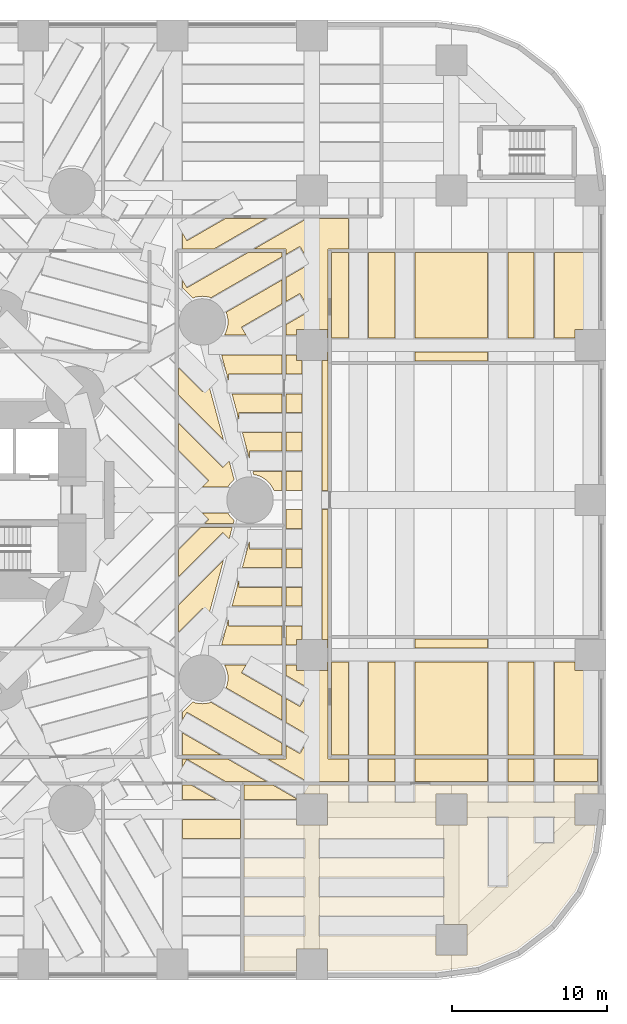
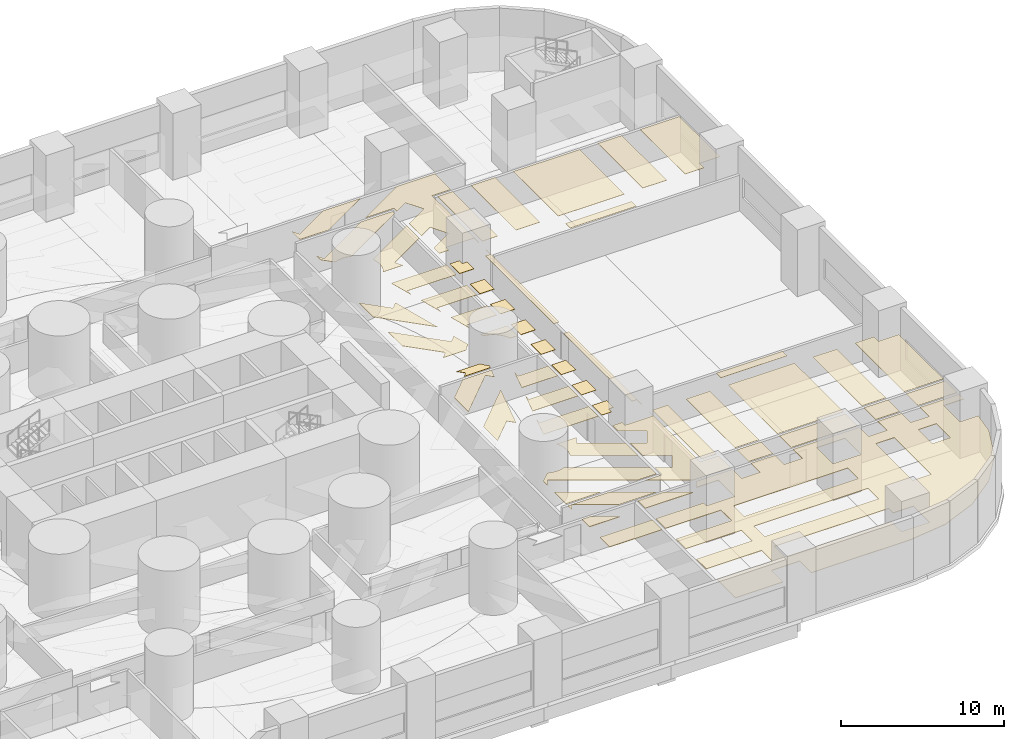
# One storey, part 16 of 17: 51 coverings.
"""IFC4 building model written with IfcOpenShell, lengths in metres."""

from ifc_helpers import new_model, si_unit, direction, frame, origin, place, context, subcontext, project, spatial, polyline, outline, extrude, material, layer, layer_set, type_object, element, save


model = new_model("IFC4")

# Units and contexts
model_context = context("Model", 3, precision=1e-05, world=origin(), true_north=direction((0.0, 1.0)))
body_context = subcontext(model_context, "Body", "Model", "MODEL_VIEW")
ifc_project = project(units=[si_unit("LENGTHUNIT", "METRE"), si_unit("AREAUNIT", "SQUARE_METRE"), si_unit("VOLUMEUNIT", "CUBIC_METRE"), si_unit("PLANEANGLEUNIT", "RADIAN"), si_unit("MASSUNIT", "GRAM", prefix="KILO")], contexts=[model_context])

# Site, building, storey
site_placement = place(None, origin())
site = spatial("IfcSite", under=ifc_project, at=site_placement, CompositionType="ELEMENT")
building_placement = place(site_placement, origin())
building = spatial("IfcBuilding", under=site, at=building_placement, Name="Qaws Media Tower", CompositionType="ELEMENT")
storey_placement = place(building_placement, frame((0.0, 0.0, 15.0)))
storey = spatial("IfcBuildingStorey", under=building, at=storey_placement, Name="L02", CompositionType="ELEMENT", Elevation=15.0)

# Coverings
ifc_material_1 = material(Name="40 perforated acoustic panels with mineral wool backing, suspended", Category="mineral fibre")
ifc_layer_1 = layer(ifc_material_1, 0.0400390625)
ifc_layer_set_1 = layer_set([ifc_layer_1], Name="Acoustic panel ceiling 40")
covering_type_1 = type_object("IfcCoveringType", Name="Acoustic panel ceiling 40", PredefinedType="CEILING", material=ifc_layer_set_1)
covering_1_placement = place(storey_placement, frame((0.0, 0.0, 2.719970703125)))
element("IfcCovering", 1, at=covering_1_placement, inside=storey, type_object=covering_type_1, Name="CL3 ceiling L02-03 Edit suite 1", PredefinedType="CEILING", context=body_context, shape_type="SweptSolid", body=[
    extrude(outline(polyline([(82.3798828125, 28.14990234375), (78.64990234375, 28.14990234375), (78.64990234375, 29.35009765625), (82.3798828125, 29.35009765625), (82.3798828125, 28.14990234375)])), origin(), (0.0, 0.0, 1.0), 0.0400390625),
])
covering_2_placement = place(storey_placement, frame((0.0, 0.0, 2.719970703125)))
element("IfcCovering", 2, at=covering_2_placement, inside=storey, type_object=covering_type_1, Name="CL3 ceiling L02-03 Edit suite 1", PredefinedType="CEILING", context=body_context, shape_type="SweptSolid", body=[
    extrude(outline(polyline([(79.2275390625, 31.580078125), (80.83837890625, 30.64990234375), (78.64990234375, 30.64990234375), (78.64990234375, 31.580078125), (79.2275390625, 31.580078125)])), origin(), (0.0, 0.0, 1.0), 0.0400390625),
])
covering_3_placement = place(storey_placement, frame((0.0, 0.0, 2.719970703125)))
element("IfcCovering", 3, at=covering_3_placement, inside=storey, type_object=covering_type_1, Name="CL3 ceiling L02-04 Edit suite 2", PredefinedType="CEILING", context=body_context, shape_type="SweptSolid", body=[
    extrude(outline(polyline([(104.0, 31.0), (104.0, 29.0), (105.2958984375, 29.0), (105.072509765625, 27.301025390625), (104.030517578125, 24.7861328125), (102.37353515625, 22.62646484375), (100.2138671875, 20.969482421875), (97.698974609375, 19.927490234375), (94.982421875, 19.570068359375), (88.0, 19.570068359375), (88.0, 21.0), (86.0, 21.0), (86.0, 19.570068359375), (82.6201171875, 19.570068359375), (82.6201171875, 21.85009765625), (86.550048828125, 21.85009765625), (86.550048828125, 23.14990234375), (82.6201171875, 23.14990234375), (82.6201171875, 24.35009765625), (86.550048828125, 24.35009765625), (86.550048828125, 25.64990234375), (82.6201171875, 25.64990234375), (82.6201171875, 26.85009765625), (86.550048828125, 26.85009765625), (86.550048828125, 28.14990234375), (82.6201171875, 28.14990234375), (82.6201171875, 29.35009765625), (86.0, 29.35009765625), (86.0, 29.0), (88.0, 29.0), (88.0, 31.0), (86.468017578125, 31.0), (86.802734375, 31.580078125), (89.35009765625, 31.580078125), (89.35009765625, 30.449951171875), (90.64990234375, 30.449951171875), (90.64990234375, 31.580078125), (92.35009765625, 31.580078125), (92.35009765625, 30.449951171875), (93.64990234375, 30.449951171875), (93.64990234375, 31.580078125), (98.35009765625, 31.580078125), (98.35009765625, 30.449951171875), (99.64990234375, 30.449951171875), (99.64990234375, 31.580078125), (101.35009765625, 31.580078125), (101.35009765625, 30.449951171875), (102.64990234375, 30.449951171875), (102.64990234375, 31.580078125), (105.429931640625, 31.580078125), (105.429931640625, 31.0), (104.0, 31.0)]), holes=[polyline([(97.0, 20.60009765625), (97.0, 22.60009765625), (95.550048828125, 22.60009765625), (95.550048828125, 23.14990234375), (87.449951171875, 23.14990234375), (87.449951171875, 21.85009765625), (95.0, 21.85009765625), (95.0, 20.60009765625), (97.0, 20.60009765625)]), polyline([(97.0, 29.0), (97.0, 31.0), (95.0, 31.0), (95.0, 29.0), (97.0, 29.0)]), polyline([(87.449951171875, 24.35009765625), (95.550048828125, 24.35009765625), (95.550048828125, 25.64990234375), (87.449951171875, 25.64990234375), (87.449951171875, 24.35009765625)]), polyline([(98.35009765625, 25.015380859375), (99.64990234375, 25.015380859375), (99.64990234375, 29.550048828125), (98.35009765625, 29.550048828125), (98.35009765625, 25.015380859375)]), polyline([(87.449951171875, 28.14990234375), (87.449951171875, 26.85009765625), (95.550048828125, 26.85009765625), (95.550048828125, 28.14990234375), (87.449951171875, 28.14990234375)]), polyline([(101.35009765625, 27.8154296875), (102.64990234375, 27.8154296875), (102.64990234375, 29.550048828125), (101.35009765625, 29.550048828125), (101.35009765625, 27.8154296875)])]), origin(), (0.0, 0.0, 1.0), 0.0400390625),
])
covering_4_placement = place(storey_placement, frame((0.0, 0.0, 2.719970703125)))
element("IfcCovering", 4, at=covering_4_placement, inside=storey, type_object=covering_type_1, Name="CL3 ceiling L02-04 Edit suite 2", PredefinedType="CEILING", context=body_context, shape_type="SweptSolid", body=[
    extrude(outline(polyline([(82.6201171875, 31.580078125), (84.49169921875, 31.580078125), (86.0, 30.708984375), (86.0, 30.64990234375), (82.6201171875, 30.64990234375), (82.6201171875, 31.580078125)])), origin(), (0.0, 0.0, 1.0), 0.0400390625),
])
ifc_material_2 = material(Name="600 x 600 mineral fibre tiles in exposed grid, suspended", Category="mineral fibre")
ifc_layer_2 = layer(ifc_material_2, 0.02001953125)
ifc_layer_set_2 = layer_set([ifc_layer_2], Name="Mineral fibre tile ceiling 20")
covering_type_2 = type_object("IfcCoveringType", Name="Mineral fibre tile ceiling 20", PredefinedType="CEILING", material=ifc_layer_set_2)
covering_5_placement = place(storey_placement, frame((0.0, 0.0, 2.719970703125)))
element("IfcCovering", 5, at=covering_5_placement, inside=storey, type_object=covering_type_2, Name="CL1 ceiling L02-00 Production foyer", PredefinedType="CEILING", context=body_context, shape_type="SweptSolid", body=[
    extrude(outline(polyline([(89.35009765625, 68.179931640625), (89.35009765625, 66.219970703125), (88.030029296875, 66.219970703125), (88.030029296875, 60.449951171875), (88.0, 60.449951171875), (88.0, 61.0), (86.0, 61.0), (86.0, 60.64990234375), (85.320068359375, 60.64990234375), (85.320068359375, 61.318603515625), (86.875, 62.216552734375), (86.22509765625, 63.34228515625), (85.320068359375, 62.81982421875), (85.320068359375, 64.35791015625), (86.875, 65.255615234375), (86.22509765625, 66.381591796875), (85.320068359375, 65.859130859375), (85.320068359375, 66.219970703125), (83.281005859375, 66.219970703125), (86.67578125, 68.179931640625), (89.35009765625, 68.179931640625)])), origin(), (0.0, 0.0, 1.0), 0.02001953125),
])
covering_6_placement = place(storey_placement, frame((0.0, 0.0, 2.719970703125)))
element("IfcCovering", 6, at=covering_6_placement, inside=storey, type_object=covering_type_2, Name="CL1 ceiling L02-00 Production foyer", PredefinedType="CEILING", context=body_context, shape_type="SweptSolid", body=[
    extrude(outline(polyline([(88.030029296875, 33.280029296875), (89.35009765625, 33.280029296875), (89.35009765625, 31.820068359375), (86.67578125, 31.820068359375), (84.147216796875, 33.280029296875), (85.320068359375, 33.280029296875), (85.320068359375, 34.140869140625), (86.22509765625, 33.618408203125), (86.875, 34.744384765625), (85.320068359375, 35.64208984375), (85.320068359375, 37.18017578125), (86.22509765625, 36.65771484375), (86.875, 37.783447265625), (85.320068359375, 38.681396484375), (85.320068359375, 39.35009765625), (86.0, 39.35009765625), (86.0, 39.0), (88.0, 39.0), (88.0, 39.550048828125), (88.030029296875, 39.550048828125), (88.030029296875, 33.280029296875)])), origin(), (0.0, 0.0, 1.0), 0.02001953125),
])
covering_7_placement = place(storey_placement, frame((0.0, 0.0, 2.719970703125)))
element("IfcCovering", 7, at=covering_7_placement, inside=storey, type_object=covering_type_2, Name="CL1 ceiling L02-00 Production foyer", PredefinedType="CEILING", context=body_context, shape_type="SweptSolid", body=[
    extrude(outline(polyline([(98.35009765625, 33.280029296875), (98.35009765625, 31.820068359375), (93.64990234375, 31.820068359375), (93.64990234375, 33.280029296875), (98.35009765625, 33.280029296875)])), origin(), (0.0, 0.0, 1.0), 0.02001953125),
])
covering_8_placement = place(storey_placement, frame((0.0, 0.0, 2.719970703125)))
element("IfcCovering", 8, at=covering_8_placement, inside=storey, type_object=covering_type_2, Name="CL1 ceiling L02-00 Production foyer", PredefinedType="CEILING", context=body_context, shape_type="SweptSolid", body=[
    extrude(outline(polyline([(84.075927734375, 68.179931640625), (80.68115234375, 66.219970703125), (78.64990234375, 66.219970703125), (78.64990234375, 67.220703125), (78.925048828125, 66.744384765625), (81.411865234375, 68.179931640625), (84.075927734375, 68.179931640625)])), origin(), (0.0, 0.0, 1.0), 0.02001953125),
])
covering_9_placement = place(storey_placement, frame((0.0, 0.0, 2.719970703125)))
element("IfcCovering", 9, at=covering_9_placement, inside=storey, type_object=covering_type_2, Name="CL1 ceiling L02-00 Production foyer", PredefinedType="CEILING", context=body_context, shape_type="SweptSolid", body=[
    extrude(outline(polyline([(105.429931640625, 33.280029296875), (105.429931640625, 31.820068359375), (102.64990234375, 31.820068359375), (102.64990234375, 33.280029296875), (105.429931640625, 33.280029296875)])), origin(), (0.0, 0.0, 1.0), 0.02001953125),
])
covering_10_placement = place(storey_placement, frame((0.0, 0.0, 2.719970703125)))
element("IfcCovering", 10, at=covering_10_placement, inside=storey, type_object=covering_type_2, Name="CL1 ceiling L02-00 Production foyer", PredefinedType="CEILING", context=body_context, shape_type="SweptSolid", body=[
    extrude(outline(polyline([(81.411865234375, 31.820068359375), (78.925048828125, 33.255615234375), (78.64990234375, 32.779296875), (78.64990234375, 33.280029296875), (81.547119140625, 33.280029296875), (84.075927734375, 31.820068359375), (81.411865234375, 31.820068359375)])), origin(), (0.0, 0.0, 1.0), 0.02001953125),
])
covering_11_placement = place(storey_placement, frame((0.0, 0.0, 2.719970703125)))
element("IfcCovering", 11, at=covering_11_placement, inside=storey, type_object=covering_type_2, Name="CL1 ceiling L02-00 Production foyer", PredefinedType="CEILING", context=body_context, shape_type="SweptSolid", body=[
    extrude(outline(polyline([(88.030029296875, 50.60009765625), (87.64990234375, 50.60009765625), (87.64990234375, 59.0), (88.0, 59.0), (88.0, 59.550048828125), (88.030029296875, 59.550048828125), (88.030029296875, 50.60009765625)])), origin(), (0.0, 0.0, 1.0), 0.02001953125),
])
covering_12_placement = place(storey_placement, frame((0.0, 0.0, 2.719970703125)))
element("IfcCovering", 12, at=covering_12_placement, inside=storey, type_object=covering_type_2, Name="CL1 ceiling L02-00 Production foyer", PredefinedType="CEILING", context=body_context, shape_type="SweptSolid", body=[
    extrude(outline(polyline([(88.030029296875, 40.449951171875), (88.0, 40.449951171875), (88.0, 41.0), (87.64990234375, 41.0), (87.64990234375, 49.39990234375), (88.030029296875, 49.39990234375), (88.030029296875, 40.449951171875)])), origin(), (0.0, 0.0, 1.0), 0.02001953125),
])
covering_13_placement = place(storey_placement, frame((0.0, 0.0, 2.719970703125)))
element("IfcCovering", 13, at=covering_13_placement, inside=storey, type_object=covering_type_2, Name="CL1 ceiling L02-00 Production foyer", PredefinedType="CEILING", context=body_context, shape_type="SweptSolid", body=[
    extrude(outline(polyline([(92.35009765625, 33.280029296875), (92.35009765625, 31.820068359375), (90.64990234375, 31.820068359375), (90.64990234375, 33.280029296875), (92.35009765625, 33.280029296875)])), origin(), (0.0, 0.0, 1.0), 0.02001953125),
])
covering_14_placement = place(storey_placement, frame((0.0, 0.0, 2.719970703125)))
element("IfcCovering", 14, at=covering_14_placement, inside=storey, type_object=covering_type_2, Name="CL1 ceiling L02-00 Production foyer", PredefinedType="CEILING", context=body_context, shape_type="SweptSolid", body=[
    extrude(outline(polyline([(101.35009765625, 33.280029296875), (101.35009765625, 31.820068359375), (99.64990234375, 31.820068359375), (99.64990234375, 33.280029296875), (101.35009765625, 33.280029296875)])), origin(), (0.0, 0.0, 1.0), 0.02001953125),
])
covering_15_placement = place(storey_placement, frame((0.0, 0.0, 2.719970703125)))
element("IfcCovering", 15, at=covering_15_placement, inside=storey, type_object=covering_type_2, Name="CL1 ceiling L02-00 Production foyer", PredefinedType="CEILING", context=body_context, shape_type="SweptSolid", body=[
    extrude(outline(polyline([(85.320068359375, 49.39990234375), (86.35009765625, 49.39990234375), (86.35009765625, 48.14990234375), (85.320068359375, 48.14990234375), (85.320068359375, 49.39990234375)])), origin(), (0.0, 0.0, 1.0), 0.02001953125),
])
covering_16_placement = place(storey_placement, frame((0.0, 0.0, 2.719970703125)))
element("IfcCovering", 16, at=covering_16_placement, inside=storey, type_object=covering_type_2, Name="CL1 ceiling L02-00 Production foyer", PredefinedType="CEILING", context=body_context, shape_type="SweptSolid", body=[
    extrude(outline(polyline([(85.320068359375, 51.85009765625), (86.35009765625, 51.85009765625), (86.35009765625, 50.60009765625), (85.320068359375, 50.60009765625), (85.320068359375, 51.85009765625)])), origin(), (0.0, 0.0, 1.0), 0.02001953125),
])
covering_17_placement = place(storey_placement, frame((0.0, 0.0, 2.719970703125)))
element("IfcCovering", 17, at=covering_17_placement, inside=storey, type_object=covering_type_2, Name="CL1 ceiling L02-00 Production foyer", PredefinedType="CEILING", context=body_context, shape_type="SweptSolid", body=[
    extrude(outline(polyline([(85.320068359375, 44.35009765625), (86.35009765625, 44.35009765625), (86.35009765625, 43.14990234375), (85.320068359375, 43.14990234375), (85.320068359375, 44.35009765625)])), origin(), (0.0, 0.0, 1.0), 0.02001953125),
])
covering_18_placement = place(storey_placement, frame((0.0, 0.0, 2.719970703125)))
element("IfcCovering", 18, at=covering_18_placement, inside=storey, type_object=covering_type_2, Name="CL1 ceiling L02-00 Production foyer", PredefinedType="CEILING", context=body_context, shape_type="SweptSolid", body=[
    extrude(outline(polyline([(85.320068359375, 46.85009765625), (86.35009765625, 46.85009765625), (86.35009765625, 45.64990234375), (85.320068359375, 45.64990234375), (85.320068359375, 46.85009765625)])), origin(), (0.0, 0.0, 1.0), 0.02001953125),
])
covering_19_placement = place(storey_placement, frame((0.0, 0.0, 2.719970703125)))
element("IfcCovering", 19, at=covering_19_placement, inside=storey, type_object=covering_type_2, Name="CL1 ceiling L02-00 Production foyer", PredefinedType="CEILING", context=body_context, shape_type="SweptSolid", body=[
    extrude(outline(polyline([(85.320068359375, 54.35009765625), (86.35009765625, 54.35009765625), (86.35009765625, 53.14990234375), (85.320068359375, 53.14990234375), (85.320068359375, 54.35009765625)])), origin(), (0.0, 0.0, 1.0), 0.02001953125),
])
covering_20_placement = place(storey_placement, frame((0.0, 0.0, 2.719970703125)))
element("IfcCovering", 20, at=covering_20_placement, inside=storey, type_object=covering_type_2, Name="CL1 ceiling L02-00 Production foyer", PredefinedType="CEILING", context=body_context, shape_type="SweptSolid", body=[
    extrude(outline(polyline([(85.320068359375, 56.85009765625), (86.35009765625, 56.85009765625), (86.35009765625, 55.64990234375), (85.320068359375, 55.64990234375), (85.320068359375, 56.85009765625)])), origin(), (0.0, 0.0, 1.0), 0.02001953125),
])
covering_21_placement = place(storey_placement, frame((0.0, 0.0, 2.719970703125)))
element("IfcCovering", 21, at=covering_21_placement, inside=storey, type_object=covering_type_2, Name="CL1 ceiling L02-00 Production foyer", PredefinedType="CEILING", context=body_context, shape_type="SweptSolid", body=[
    extrude(outline(polyline([(85.320068359375, 41.85009765625), (86.35009765625, 41.85009765625), (86.35009765625, 41.0), (86.0, 41.0), (86.0, 40.64990234375), (85.320068359375, 40.64990234375), (85.320068359375, 41.85009765625)])), origin(), (0.0, 0.0, 1.0), 0.02001953125),
])
covering_22_placement = place(storey_placement, frame((0.0, 0.0, 2.719970703125)))
element("IfcCovering", 22, at=covering_22_placement, inside=storey, type_object=covering_type_2, Name="CL1 ceiling L02-00 Production foyer", PredefinedType="CEILING", context=body_context, shape_type="SweptSolid", body=[
    extrude(outline(polyline([(85.320068359375, 59.35009765625), (86.0, 59.35009765625), (86.0, 59.0), (86.35009765625, 59.0), (86.35009765625, 58.14990234375), (85.320068359375, 58.14990234375), (85.320068359375, 59.35009765625)])), origin(), (0.0, 0.0, 1.0), 0.02001953125),
])
covering_23_placement = place(storey_placement, frame((0.0, 0.0, 2.719970703125)))
element("IfcCovering", 23, at=covering_23_placement, inside=storey, type_object=covering_type_2, Name="CL1 ceiling L02-07 Graphics room", PredefinedType="CEILING", context=body_context, shape_type="SweptSolid", body=[
    extrude(outline(polyline([(85.080078125, 33.52001953125), (83.7314453125, 33.52001953125), (78.925048828125, 36.294921875), (78.64990234375, 35.818603515625), (78.64990234375, 36.312255859375), (79.298828125, 36.961181640625), (79.489013671875, 36.896484375), (79.701904296875, 36.854248046875), (79.918701171875, 36.840087890625), (80.13525390625, 36.854248046875), (80.34814453125, 36.896484375), (80.473388671875, 36.939208984375), (85.080078125, 34.279541015625), (85.080078125, 33.52001953125)])), origin(), (0.0, 0.0, 1.0), 0.02001953125),
])
covering_24_placement = place(storey_placement, frame((0.0, 0.0, 2.719970703125)))
element("IfcCovering", 24, at=covering_24_placement, inside=storey, type_object=covering_type_2, Name="CL1 ceiling L02-07 Graphics room", PredefinedType="CEILING", context=body_context, shape_type="SweptSolid", body=[
    extrude(outline(polyline([(85.080078125, 35.780517578125), (81.455078125, 37.873291015625), (81.52197265625, 38.0703125), (81.564453125, 38.283203125), (81.57861328125, 38.5), (81.564453125, 38.716796875), (81.52197265625, 38.9296875), (81.4521484375, 39.13525390625), (81.356201171875, 39.330078125), (81.3427734375, 39.35009765625), (82.746337890625, 39.35009765625), (82.4501953125, 38.837158203125), (85.080078125, 37.318603515625), (85.080078125, 35.780517578125)])), origin(), (0.0, 0.0, 1.0), 0.02001953125),
])
covering_25_placement = place(storey_placement, frame((0.0, 0.0, 2.719970703125)))
element("IfcCovering", 25, at=covering_25_placement, inside=storey, type_object=covering_type_2, Name="CL1 ceiling L02-07 Graphics room", PredefinedType="CEILING", context=body_context, shape_type="SweptSolid", body=[
    extrude(outline(polyline([(78.389892578125, 43.219482421875), (81.286376953125, 46.115966796875), (80.341064453125, 42.587646484375), (79.922119140625, 43.006591796875), (78.389892578125, 41.474365234375), (78.389892578125, 43.219482421875)])), origin(), (0.0, 0.0, 1.0), 0.02001953125),
])
covering_26_placement = place(storey_placement, frame((0.0, 0.0, 2.719970703125)))
element("IfcCovering", 26, at=covering_26_placement, inside=storey, type_object=covering_type_2, Name="CL1 ceiling L02-07 Graphics room", PredefinedType="CEILING", context=body_context, shape_type="SweptSolid", body=[
    extrude(outline(polyline([(85.080078125, 40.64990234375), (81.16748046875, 40.64990234375), (81.611572265625, 42.306884765625), (81.611572265625, 41.85009765625), (85.080078125, 41.85009765625), (85.080078125, 40.64990234375)])), origin(), (0.0, 0.0, 1.0), 0.02001953125),
])
covering_27_placement = place(storey_placement, frame((0.0, 0.0, 2.719970703125)))
element("IfcCovering", 27, at=covering_27_placement, inside=storey, type_object=covering_type_2, Name="CL1 ceiling L02-07 Graphics room", PredefinedType="CEILING", context=body_context, shape_type="SweptSolid", body=[
    extrude(outline(polyline([(78.389892578125, 46.80322265625), (79.816650390625, 48.22998046875), (81.852783203125, 48.22998046875), (81.652587890625, 47.483154296875), (81.23388671875, 47.902099609375), (78.389892578125, 45.05810546875), (78.389892578125, 46.80322265625)])), origin(), (0.0, 0.0, 1.0), 0.02001953125),
])
covering_28_placement = place(storey_placement, frame((0.0, 0.0, 2.719970703125)))
element("IfcCovering", 28, at=covering_28_placement, inside=storey, type_object=covering_type_2, Name="CL1 ceiling L02-07 Graphics room", PredefinedType="CEILING", context=body_context, shape_type="SweptSolid", body=[
    extrude(outline(polyline([(85.080078125, 43.14990234375), (81.83740234375, 43.14990234375), (82.281494140625, 44.806884765625), (82.281494140625, 44.35009765625), (85.080078125, 44.35009765625), (85.080078125, 43.14990234375)])), origin(), (0.0, 0.0, 1.0), 0.02001953125),
])
covering_29_placement = place(storey_placement, frame((0.0, 0.0, 2.719970703125)))
element("IfcCovering", 29, at=covering_29_placement, inside=storey, type_object=covering_type_2, Name="CL1 ceiling L02-07 Graphics room", PredefinedType="CEILING", context=body_context, shape_type="SweptSolid", body=[
    extrude(outline(polyline([(85.080078125, 45.64990234375), (82.50732421875, 45.64990234375), (82.951416015625, 47.306884765625), (82.951416015625, 46.85009765625), (85.080078125, 46.85009765625), (85.080078125, 45.64990234375)])), origin(), (0.0, 0.0, 1.0), 0.02001953125),
])
covering_30_placement = place(storey_placement, frame((0.0, 0.0, 2.719970703125)))
element("IfcCovering", 30, at=covering_30_placement, inside=storey, type_object=covering_type_2, Name="CL1 ceiling L02-07 Graphics room", PredefinedType="CEILING", context=body_context, shape_type="SweptSolid", body=[
    extrude(outline(polyline([(78.64990234375, 33.52001953125), (78.64990234375, 34.95263671875), (81.13134765625, 33.52001953125), (78.64990234375, 33.52001953125)])), origin(), (0.0, 0.0, 1.0), 0.02001953125),
])
covering_31_placement = place(storey_placement, frame((0.0, 0.0, 2.719970703125)))
element("IfcCovering", 31, at=covering_31_placement, inside=storey, type_object=covering_type_2, Name="CL1 ceiling L02-21 Subtitling room", PredefinedType="CEILING", context=body_context, shape_type="SweptSolid", body=[
    extrude(outline(polyline([(93.64990234375, 33.52001953125), (93.64990234375, 39.550048828125), (98.35009765625, 39.550048828125), (98.35009765625, 33.52001953125), (93.64990234375, 33.52001953125)])), origin(), (0.0, 0.0, 1.0), 0.02001953125),
])
covering_32_placement = place(storey_placement, frame((0.0, 0.0, 2.719970703125)))
element("IfcCovering", 32, at=covering_32_placement, inside=storey, type_object=covering_type_2, Name="CL1 ceiling L02-21 Subtitling room", PredefinedType="CEILING", context=body_context, shape_type="SweptSolid", body=[
    extrude(outline(polyline([(104.0, 39.0), (105.429931640625, 39.0), (105.429931640625, 33.52001953125), (102.64990234375, 33.52001953125), (102.64990234375, 39.550048828125), (104.0, 39.550048828125), (104.0, 39.0)])), origin(), (0.0, 0.0, 1.0), 0.02001953125),
])
covering_33_placement = place(storey_placement, frame((0.0, 0.0, 2.719970703125)))
element("IfcCovering", 33, at=covering_33_placement, inside=storey, type_object=covering_type_2, Name="CL1 ceiling L02-21 Subtitling room", PredefinedType="CEILING", context=body_context, shape_type="SweptSolid", body=[
    extrude(outline(polyline([(99.64990234375, 33.52001953125), (99.64990234375, 39.550048828125), (101.35009765625, 39.550048828125), (101.35009765625, 33.52001953125), (99.64990234375, 33.52001953125)])), origin(), (0.0, 0.0, 1.0), 0.02001953125),
])
covering_34_placement = place(storey_placement, frame((0.0, 0.0, 2.719970703125)))
element("IfcCovering", 34, at=covering_34_placement, inside=storey, type_object=covering_type_2, Name="CL1 ceiling L02-21 Subtitling room", PredefinedType="CEILING", context=body_context, shape_type="SweptSolid", body=[
    extrude(outline(polyline([(90.64990234375, 33.52001953125), (90.64990234375, 39.550048828125), (92.35009765625, 39.550048828125), (92.35009765625, 33.52001953125), (90.64990234375, 33.52001953125)])), origin(), (0.0, 0.0, 1.0), 0.02001953125),
])
covering_35_placement = place(storey_placement, frame((0.0, 0.0, 2.719970703125)))
element("IfcCovering", 35, at=covering_35_placement, inside=storey, type_object=covering_type_2, Name="CL1 ceiling L02-21 Subtitling room", PredefinedType="CEILING", context=body_context, shape_type="SweptSolid", body=[
    extrude(outline(polyline([(88.27001953125, 33.52001953125), (88.27001953125, 39.550048828125), (89.35009765625, 39.550048828125), (89.35009765625, 33.52001953125), (88.27001953125, 33.52001953125)])), origin(), (0.0, 0.0, 1.0), 0.02001953125),
])
covering_36_placement = place(storey_placement, frame((0.0, 0.0, 2.719970703125)))
element("IfcCovering", 36, at=covering_36_placement, inside=storey, type_object=covering_type_2, Name="CL1 ceiling L02-21 Subtitling room", PredefinedType="CEILING", context=body_context, shape_type="SweptSolid", body=[
    extrude(outline(polyline([(98.35009765625, 41.030029296875), (98.35009765625, 40.449951171875), (93.64990234375, 40.449951171875), (93.64990234375, 41.030029296875), (98.35009765625, 41.030029296875)])), origin(), (0.0, 0.0, 1.0), 0.02001953125),
])
ifc_material_3 = material(Name="Two layers 12.5 moisture-resistant plasterboard on suspended metal furring", Category="gypsum")
ifc_layer_3 = layer(ifc_material_3, 0.02490234375)
ifc_layer_set_3 = layer_set([ifc_layer_3], Name="Plasterboard ceiling 25")
covering_type_3 = type_object("IfcCoveringType", Name="Plasterboard ceiling 25", PredefinedType="CEILING", material=ifc_layer_set_3)
covering_37_placement = place(storey_placement, frame((0.0, 0.0, 2.719970703125)))
element("IfcCovering", 37, at=covering_37_placement, inside=storey, type_object=covering_type_3, Name="CL2 ceiling L02-15 Promotions office", PredefinedType="CEILING", context=body_context, shape_type="SweptSolid", body=[
    extrude(outline(polyline([(98.35009765625, 65.97998046875), (98.35009765625, 60.449951171875), (93.64990234375, 60.449951171875), (93.64990234375, 65.97998046875), (98.35009765625, 65.97998046875)])), origin(), (0.0, 0.0, 1.0), 0.025146484375),
])
covering_38_placement = place(storey_placement, frame((0.0, 0.0, 2.719970703125)))
element("IfcCovering", 38, at=covering_38_placement, inside=storey, type_object=covering_type_3, Name="CL2 ceiling L02-15 Promotions office", PredefinedType="CEILING", context=body_context, shape_type="SweptSolid", body=[
    extrude(outline(polyline([(105.429931640625, 61.0), (104.0, 61.0), (104.0, 60.449951171875), (102.64990234375, 60.449951171875), (102.64990234375, 65.97998046875), (105.429931640625, 65.97998046875), (105.429931640625, 61.0)])), origin(), (0.0, 0.0, 1.0), 0.025146484375),
])
covering_39_placement = place(storey_placement, frame((0.0, 0.0, 2.719970703125)))
element("IfcCovering", 39, at=covering_39_placement, inside=storey, type_object=covering_type_3, Name="CL2 ceiling L02-15 Promotions office", PredefinedType="CEILING", context=body_context, shape_type="SweptSolid", body=[
    extrude(outline(polyline([(92.35009765625, 65.97998046875), (92.35009765625, 60.449951171875), (90.64990234375, 60.449951171875), (90.64990234375, 65.97998046875), (92.35009765625, 65.97998046875)])), origin(), (0.0, 0.0, 1.0), 0.025146484375),
])
covering_40_placement = place(storey_placement, frame((0.0, 0.0, 2.719970703125)))
element("IfcCovering", 40, at=covering_40_placement, inside=storey, type_object=covering_type_3, Name="CL2 ceiling L02-15 Promotions office", PredefinedType="CEILING", context=body_context, shape_type="SweptSolid", body=[
    extrude(outline(polyline([(101.35009765625, 65.97998046875), (101.35009765625, 60.449951171875), (99.64990234375, 60.449951171875), (99.64990234375, 65.97998046875), (101.35009765625, 65.97998046875)])), origin(), (0.0, 0.0, 1.0), 0.025146484375),
])
covering_41_placement = place(storey_placement, frame((0.0, 0.0, 2.719970703125)))
element("IfcCovering", 41, at=covering_41_placement, inside=storey, type_object=covering_type_3, Name="CL2 ceiling L02-15 Promotions office", PredefinedType="CEILING", context=body_context, shape_type="SweptSolid", body=[
    extrude(outline(polyline([(88.27001953125, 65.97998046875), (89.35009765625, 65.97998046875), (89.35009765625, 60.449951171875), (88.27001953125, 60.449951171875), (88.27001953125, 65.97998046875)])), origin(), (0.0, 0.0, 1.0), 0.025146484375),
])
covering_42_placement = place(storey_placement, frame((0.0, 0.0, 2.719970703125)))
element("IfcCovering", 42, at=covering_42_placement, inside=storey, type_object=covering_type_3, Name="CL2 ceiling L02-15 Promotions office", PredefinedType="CEILING", context=body_context, shape_type="SweptSolid", body=[
    extrude(outline(polyline([(93.64990234375, 58.969970703125), (93.64990234375, 59.550048828125), (98.35009765625, 59.550048828125), (98.35009765625, 58.969970703125), (93.64990234375, 58.969970703125)])), origin(), (0.0, 0.0, 1.0), 0.025146484375),
])
covering_43_placement = place(storey_placement, frame((0.0, 0.0, 2.719970703125)))
element("IfcCovering", 43, at=covering_43_placement, inside=storey, type_object=covering_type_3, Name="CL2 ceiling L02-22 Transmission planning office", PredefinedType="CEILING", context=body_context, shape_type="SweptSolid", body=[
    extrude(outline(polyline([(85.080078125, 65.720458984375), (80.473388671875, 63.060791015625), (80.34814453125, 63.103515625), (80.13525390625, 63.145751953125), (79.918701171875, 63.159912109375), (79.701904296875, 63.145751953125), (79.489013671875, 63.103515625), (79.298828125, 63.038818359375), (78.64990234375, 63.687744140625), (78.64990234375, 64.181396484375), (78.925048828125, 63.705078125), (82.865478515625, 65.97998046875), (85.080078125, 65.97998046875), (85.080078125, 65.720458984375)])), origin(), (0.0, 0.0, 1.0), 0.025146484375),
])
covering_44_placement = place(storey_placement, frame((0.0, 0.0, 2.719970703125)))
element("IfcCovering", 44, at=covering_44_placement, inside=storey, type_object=covering_type_3, Name="CL2 ceiling L02-22 Transmission planning office", PredefinedType="CEILING", context=body_context, shape_type="SweptSolid", body=[
    extrude(outline(polyline([(81.826171875, 51.173828125), (81.68310546875, 51.010498046875), (81.57568359375, 50.85009765625), (79.91748046875, 50.85009765625), (80.3271484375, 51.259521484375), (78.389892578125, 53.19677734375), (78.389892578125, 54.94189453125), (81.23388671875, 52.097900390625), (81.652587890625, 52.516845703125), (81.97705078125, 51.30615234375), (81.826171875, 51.173828125)])), origin(), (0.0, 0.0, 1.0), 0.025146484375),
])
covering_45_placement = place(storey_placement, frame((0.0, 0.0, 2.719970703125)))
element("IfcCovering", 45, at=covering_45_placement, inside=storey, type_object=covering_type_3, Name="CL2 ceiling L02-22 Transmission planning office", PredefinedType="CEILING", context=body_context, shape_type="SweptSolid", body=[
    extrude(outline(polyline([(85.080078125, 62.681396484375), (82.4501953125, 61.162841796875), (82.746337890625, 60.64990234375), (81.3427734375, 60.64990234375), (81.356201171875, 60.669921875), (81.4521484375, 60.86474609375), (81.52197265625, 61.0703125), (81.564453125, 61.283203125), (81.57861328125, 61.5), (81.564453125, 61.716796875), (81.52197265625, 61.9296875), (81.455078125, 62.126708984375), (85.080078125, 64.219482421875), (85.080078125, 62.681396484375)])), origin(), (0.0, 0.0, 1.0), 0.025146484375),
])
covering_46_placement = place(storey_placement, frame((0.0, 0.0, 2.719970703125)))
element("IfcCovering", 46, at=covering_46_placement, inside=storey, type_object=covering_type_3, Name="CL2 ceiling L02-22 Transmission planning office", PredefinedType="CEILING", context=body_context, shape_type="SweptSolid", body=[
    extrude(outline(polyline([(78.389892578125, 58.525634765625), (79.922119140625, 56.993408203125), (80.341064453125, 57.412353515625), (81.286376953125, 53.884033203125), (78.389892578125, 56.780517578125), (78.389892578125, 58.525634765625)])), origin(), (0.0, 0.0, 1.0), 0.025146484375),
])
covering_47_placement = place(storey_placement, frame((0.0, 0.0, 2.719970703125)))
element("IfcCovering", 47, at=covering_47_placement, inside=storey, type_object=covering_type_3, Name="CL2 ceiling L02-22 Transmission planning office", PredefinedType="CEILING", context=body_context, shape_type="SweptSolid", body=[
    extrude(outline(polyline([(85.080078125, 58.14990234375), (81.611572265625, 58.14990234375), (81.611572265625, 57.693115234375), (81.16748046875, 59.35009765625), (85.080078125, 59.35009765625), (85.080078125, 58.14990234375)])), origin(), (0.0, 0.0, 1.0), 0.025146484375),
])
covering_48_placement = place(storey_placement, frame((0.0, 0.0, 2.719970703125)))
element("IfcCovering", 48, at=covering_48_placement, inside=storey, type_object=covering_type_3, Name="CL2 ceiling L02-22 Transmission planning office", PredefinedType="CEILING", context=body_context, shape_type="SweptSolid", body=[
    extrude(outline(polyline([(85.080078125, 55.64990234375), (82.281494140625, 55.64990234375), (82.281494140625, 55.193115234375), (81.83740234375, 56.85009765625), (85.080078125, 56.85009765625), (85.080078125, 55.64990234375)])), origin(), (0.0, 0.0, 1.0), 0.025146484375),
])
covering_49_placement = place(storey_placement, frame((0.0, 0.0, 2.719970703125)))
element("IfcCovering", 49, at=covering_49_placement, inside=storey, type_object=covering_type_3, Name="CL2 ceiling L02-22 Transmission planning office", PredefinedType="CEILING", context=body_context, shape_type="SweptSolid", body=[
    extrude(outline(polyline([(85.080078125, 53.14990234375), (82.951416015625, 53.14990234375), (82.951416015625, 52.693115234375), (82.50732421875, 54.35009765625), (85.080078125, 54.35009765625), (85.080078125, 53.14990234375)])), origin(), (0.0, 0.0, 1.0), 0.025146484375),
])
covering_50_placement = place(storey_placement, frame((0.0, 0.0, 2.719970703125)))
element("IfcCovering", 50, at=covering_50_placement, inside=storey, type_object=covering_type_3, Name="CL2 ceiling L02-22 Transmission planning office", PredefinedType="CEILING", context=body_context, shape_type="SweptSolid", body=[
    extrude(outline(polyline([(85.080078125, 50.60009765625), (84.545654296875, 50.60009765625), (84.53369140625, 50.63525390625), (84.4375, 50.830078125), (84.31689453125, 51.010498046875), (84.173828125, 51.173828125), (84.010498046875, 51.31689453125), (83.830078125, 51.4375), (83.63525390625, 51.53369140625), (83.4296875, 51.603515625), (83.23291015625, 51.642578125), (83.17724609375, 51.85009765625), (85.080078125, 51.85009765625), (85.080078125, 50.60009765625)])), origin(), (0.0, 0.0, 1.0), 0.025146484375),
])
covering_51_placement = place(storey_placement, frame((0.0, 0.0, 2.719970703125)))
element("IfcCovering", 51, at=covering_51_placement, inside=storey, type_object=covering_type_3, Name="CL2 ceiling L02-22 Transmission planning office", PredefinedType="CEILING", context=body_context, shape_type="SweptSolid", body=[
    extrude(outline(polyline([(81.68310546875, 48.989501953125), (81.826171875, 48.826171875), (81.97705078125, 48.69384765625), (81.9169921875, 48.469970703125), (80.056640625, 48.469970703125), (80.3271484375, 48.740478515625), (79.91748046875, 49.14990234375), (81.57568359375, 49.14990234375), (81.68310546875, 48.989501953125)])), origin(), (0.0, 0.0, 1.0), 0.025146484375),
])

save(model, "model.ifc")
